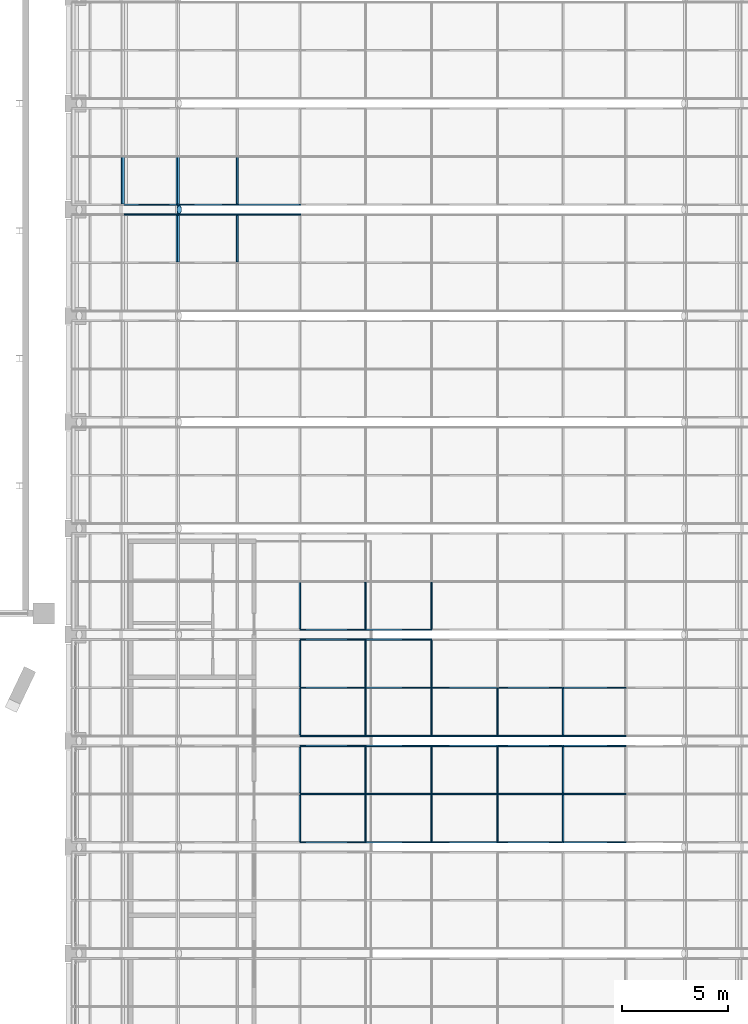
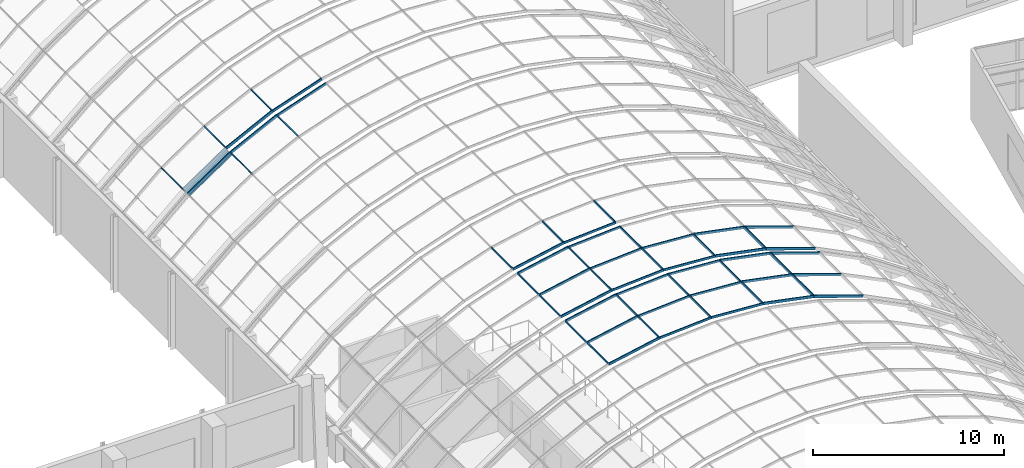
# One storey, part 52 of 182: 62 members, 5 elements without a shape of their own.
"""IFC4 building model written with IfcOpenShell, lengths in metres."""

from ifc_helpers import new_model, si_unit, direction, frame, origin, origin_2d, place, context, subcontext, project, spatial, rectangle, hollow_circle, extrude, material, material_profile, profile_set, type_object, element, aggregate, save


model = new_model("IFC4")

# Units and contexts
model_context = context("Model", 3, precision=1e-05, world=origin(), true_north=direction((0.0, 1.0)))
body_context = subcontext(model_context, "Body", "Model", "MODEL_VIEW")
ifc_project = project(units=[si_unit("LENGTHUNIT", "METRE"), si_unit("AREAUNIT", "SQUARE_METRE"), si_unit("VOLUMEUNIT", "CUBIC_METRE"), si_unit("PLANEANGLEUNIT", "RADIAN"), si_unit("MASSUNIT", "GRAM", prefix="KILO")], contexts=[model_context])

# Site, building, storey
site_placement = place(None, origin())
site = spatial("IfcSite", under=ifc_project, at=site_placement, CompositionType="ELEMENT")
building_placement = place(site_placement, origin())
building = spatial("IfcBuilding", under=site, at=building_placement, Name="Okhra Congress Centre", CompositionType="ELEMENT")
storey_placement = place(building_placement, frame((0.0, 0.0, 7.199951171875)))
storey = spatial("IfcBuildingStorey", under=building, at=storey_placement, Name="L01", CompositionType="ELEMENT", Elevation=7.199951171875)

# Curtain wall, members
ifc_material_1 = material(Name="Aluminium frame with triple glazing", Category="aluminium")
curtain_wall_type = type_object("IfcCurtainWallType", Name="Glazed vault bay curtain wall", PredefinedType="NOTDEFINED", material=ifc_material_1)
curtain_wall_1_placement = place(storey_placement, origin())
curtain_wall_1 = element("IfcCurtainWall", 1, at=curtain_wall_1_placement, inside=storey, type_object=curtain_wall_type, Name="Vault glazing bay 10", PredefinedType="NOTDEFINED")
ifc_material_2 = material(Name="Aluminium alloy 6063", Category="aluminium")
ifc_material_profile_1 = material_profile(ifc_material_2, rectangle(XDim=0.06005859375, YDim=0.139892578125, at=origin_2d()), Name="AL 60x140")
ifc_profile_set_1 = profile_set([ifc_material_profile_1], Name="Aluminium alloy 6063")
member_type_1 = type_object("IfcMemberType", Name="Aluminium mullion 60x140", PredefinedType="MULLION", material=ifc_profile_set_1)
member_1_placement = place(storey_placement, frame((169.1337890625, 121.233154296875, 8.7392578125), z_axis=(0.997826129775, 0.0, 0.065901553385), x_axis=(0.0, 1.0, 0.0)))
member_1 = element("IfcMember", 2, at=member_1_placement, type_object=member_type_1, Name="Vault mullion 10.1.6", PredefinedType="MULLION", context=body_context, shape_type="SweptSolid", body=[
    extrude(rectangle(XDim=0.06005859375, YDim=0.139892578125, at=origin_2d()), origin(), (0.0, 0.0, 1.0), 3.123046875),
])
member_2_placement = place(storey_placement, frame((172.25, 121.233154296875, 8.945068359375), z_axis=(0.997826129775, 0.0, -0.065901553385), x_axis=(0.0, 1.0, 0.0)))
member_2 = element("IfcMember", 3, at=member_2_placement, type_object=member_type_1, Name="Vault mullion 10.1.7", PredefinedType="MULLION", context=body_context, shape_type="SweptSolid", body=[
    extrude(rectangle(XDim=0.06005859375, YDim=0.139892578125, at=origin_2d()), origin(), (0.0, 0.0, 1.0), 3.123046875),
])
member_3_placement = place(storey_placement, frame((169.1337890625, 123.5, 8.7392578125), z_axis=(0.997826129775, 0.0, 0.065901553385), x_axis=(0.0, 1.0, 0.0)))
member_3 = element("IfcMember", 4, at=member_3_placement, type_object=member_type_1, Name="Vault mullion 10.2.6", PredefinedType="MULLION", context=body_context, shape_type="SweptSolid", body=[
    extrude(rectangle(XDim=0.06005859375, YDim=0.139892578125, at=origin_2d()), origin(), (0.0, 0.0, 1.0), 3.123046875),
])
member_4_placement = place(storey_placement, frame((172.25, 123.5, 8.945068359375), z_axis=(0.997826129775, 0.0, -0.065901553385), x_axis=(0.0, 1.0, 0.0)))
member_4 = element("IfcMember", 5, at=member_4_placement, type_object=member_type_1, Name="Vault mullion 10.2.7", PredefinedType="MULLION", context=body_context, shape_type="SweptSolid", body=[
    extrude(rectangle(XDim=0.06005859375, YDim=0.139892578125, at=origin_2d()), origin(), (0.0, 0.0, 1.0), 3.123046875),
])
member_5_placement = place(storey_placement, frame((169.1337890625, 125.766845703125, 8.7392578125), z_axis=(0.997826129775, 0.0, 0.065901553385), x_axis=(0.0, 1.0, 0.0)))
member_5 = element("IfcMember", 6, at=member_5_placement, type_object=member_type_1, Name="Vault mullion 10.3.6", PredefinedType="MULLION", context=body_context, shape_type="SweptSolid", body=[
    extrude(rectangle(XDim=0.06005859375, YDim=0.139892578125, at=origin_2d()), origin(), (0.0, 0.0, 1.0), 3.123046875),
])
member_6_placement = place(storey_placement, frame((172.25, 125.766845703125, 8.945068359375), z_axis=(0.997826129775, 0.0, -0.065901553385), x_axis=(0.0, 1.0, 0.0)))
member_6 = element("IfcMember", 7, at=member_6_placement, type_object=member_type_1, Name="Vault mullion 10.3.7", PredefinedType="MULLION", context=body_context, shape_type="SweptSolid", body=[
    extrude(rectangle(XDim=0.06005859375, YDim=0.139892578125, at=origin_2d()), origin(), (0.0, 0.0, 1.0), 3.123046875),
])

curtain_wall_2_placement = place(storey_placement, origin())
curtain_wall_2 = element("IfcCurtainWall", 8, at=curtain_wall_2_placement, inside=storey, type_object=curtain_wall_type, Name="Vault glazing bay 11", PredefinedType="NOTDEFINED")
member_7_placement = place(storey_placement, frame((169.1337890625, 126.233154296875, 8.7392578125), z_axis=(0.997826129775, 0.0, 0.065901553385), x_axis=(0.0, 1.0, 0.0)))
member_7 = element("IfcMember", 9, at=member_7_placement, type_object=member_type_1, Name="Vault mullion 11.1.6", PredefinedType="MULLION", context=body_context, shape_type="SweptSolid", body=[
    extrude(rectangle(XDim=0.06005859375, YDim=0.139892578125, at=origin_2d()), origin(), (0.0, 0.0, 1.0), 3.123046875),
])
member_8_placement = place(storey_placement, frame((172.25, 126.233154296875, 8.945068359375), z_axis=(0.997826129775, 0.0, -0.065901553385), x_axis=(0.0, 1.0, 0.0)))
member_8 = element("IfcMember", 10, at=member_8_placement, type_object=member_type_1, Name="Vault mullion 11.1.7", PredefinedType="MULLION", context=body_context, shape_type="SweptSolid", body=[
    extrude(rectangle(XDim=0.06005859375, YDim=0.139892578125, at=origin_2d()), origin(), (0.0, 0.0, 1.0), 3.123046875),
])
member_9_placement = place(storey_placement, frame((169.1337890625, 128.5, 8.7392578125), z_axis=(0.997826129775, 0.0, 0.065901553385), x_axis=(0.0, 1.0, 0.0)))
member_9 = element("IfcMember", 11, at=member_9_placement, type_object=member_type_1, Name="Vault mullion 11.2.6", PredefinedType="MULLION", context=body_context, shape_type="SweptSolid", body=[
    extrude(rectangle(XDim=0.06005859375, YDim=0.139892578125, at=origin_2d()), origin(), (0.0, 0.0, 1.0), 3.123046875),
])
member_10_placement = place(storey_placement, frame((172.25, 128.5, 8.945068359375), z_axis=(0.997826129775, 0.0, -0.065901553385), x_axis=(0.0, 1.0, 0.0)))
member_10 = element("IfcMember", 12, at=member_10_placement, type_object=member_type_1, Name="Vault mullion 11.2.7", PredefinedType="MULLION", context=body_context, shape_type="SweptSolid", body=[
    extrude(rectangle(XDim=0.06005859375, YDim=0.139892578125, at=origin_2d()), origin(), (0.0, 0.0, 1.0), 3.123046875),
])
member_11_placement = place(storey_placement, frame((169.1337890625, 130.766845703125, 8.7392578125), z_axis=(0.997826129775, 0.0, 0.065901553385), x_axis=(0.0, 1.0, 0.0)))
member_11 = element("IfcMember", 13, at=member_11_placement, type_object=member_type_1, Name="Vault mullion 11.3.6", PredefinedType="MULLION", context=body_context, shape_type="SweptSolid", body=[
    extrude(rectangle(XDim=0.06005859375, YDim=0.139892578125, at=origin_2d()), origin(), (0.0, 0.0, 1.0), 3.123046875),
])

# Curtain wall, member
curtain_wall_3_placement = place(storey_placement, origin())
curtain_wall_3 = element("IfcCurtainWall", 14, at=curtain_wall_3_placement, inside=storey, type_object=curtain_wall_type, Name="Vault glazing bay 12", PredefinedType="NOTDEFINED")
member_12_placement = place(storey_placement, frame((169.1337890625, 131.233154296875, 8.7392578125), z_axis=(0.997826129775, 0.0, 0.065901553385), x_axis=(0.0, 1.0, 0.0)))
member_12 = element("IfcMember", 15, at=member_12_placement, type_object=member_type_1, Name="Vault mullion 12.1.6", PredefinedType="MULLION", context=body_context, shape_type="SweptSolid", body=[
    extrude(rectangle(XDim=0.06005859375, YDim=0.139892578125, at=origin_2d()), origin(), (0.0, 0.0, 1.0), 3.123046875),
])

# Member
ifc_material_profile_2 = material_profile(ifc_material_2, rectangle(XDim=0.06005859375, YDim=0.159912109375, at=origin_2d()), Name="AL 60x160")
ifc_profile_set_2 = profile_set([ifc_material_profile_2], Name="Aluminium alloy 6063")
member_type_2 = type_object("IfcMemberType", Name="Aluminium mullion 60x160", PredefinedType="MULLION", material=ifc_profile_set_2)
member_13_placement = place(storey_placement, frame((166.069091796875, 121.233154296875, 8.134765625), z_axis=(0.980484387086, 0.0, 0.196596965087), x_axis=(0.0, 1.0, 0.0)))
member_13 = element("IfcMember", 16, at=member_13_placement, type_object=member_type_2, Name="Vault mullion 10.1.5", PredefinedType="MULLION", context=body_context, shape_type="SweptSolid", body=[
    extrude(rectangle(XDim=0.06005859375, YDim=0.159912109375, at=origin_2d()), origin(), (0.0, 0.0, 1.0), 3.12451171875),
])

member_14_placement = place(storey_placement, frame((175.367431640625, 121.233154296875, 8.7490234375), z_axis=(0.980484387086, 0.0, -0.196596965087), x_axis=(0.0, 1.0, 0.0)))
member_14 = element("IfcMember", 17, at=member_14_placement, type_object=member_type_2, Name="Vault mullion 10.1.8", PredefinedType="MULLION", context=body_context, shape_type="SweptSolid", body=[
    extrude(rectangle(XDim=0.06005859375, YDim=0.159912109375, at=origin_2d()), origin(), (0.0, 0.0, 1.0), 3.12451171875),
])

member_15_placement = place(storey_placement, frame((178.430908203125, 121.233154296875, 8.134765625), z_axis=(0.946065064306, 0.0, -0.323976687587), x_axis=(0.0, 1.0, 0.0)))
member_15 = element("IfcMember", 18, at=member_15_placement, type_object=member_type_2, Name="Vault mullion 10.1.9", PredefinedType="MULLION", context=body_context, shape_type="SweptSolid", body=[
    extrude(rectangle(XDim=0.06005859375, YDim=0.159912109375, at=origin_2d()), origin(), (0.0, 0.0, 1.0), 3.124267578125),
])

member_16_placement = place(storey_placement, frame((166.069091796875, 123.5, 8.134765625), z_axis=(0.980484387086, 0.0, 0.196596965087), x_axis=(0.0, 1.0, 0.0)))
member_16 = element("IfcMember", 19, at=member_16_placement, type_object=member_type_2, Name="Vault mullion 10.2.5", PredefinedType="MULLION", context=body_context, shape_type="SweptSolid", body=[
    extrude(rectangle(XDim=0.06005859375, YDim=0.159912109375, at=origin_2d()), origin(), (0.0, 0.0, 1.0), 3.12451171875),
])

member_17_placement = place(storey_placement, frame((175.367431640625, 123.5, 8.7490234375), z_axis=(0.980484387086, 0.0, -0.196596965087), x_axis=(0.0, 1.0, 0.0)))
member_17 = element("IfcMember", 20, at=member_17_placement, type_object=member_type_2, Name="Vault mullion 10.2.8", PredefinedType="MULLION", context=body_context, shape_type="SweptSolid", body=[
    extrude(rectangle(XDim=0.06005859375, YDim=0.159912109375, at=origin_2d()), origin(), (0.0, 0.0, 1.0), 3.12451171875),
])

member_18_placement = place(storey_placement, frame((178.430908203125, 123.5, 8.134765625), z_axis=(0.946065064306, 0.0, -0.323976687587), x_axis=(0.0, 1.0, 0.0)))
member_18 = element("IfcMember", 21, at=member_18_placement, type_object=member_type_2, Name="Vault mullion 10.2.9", PredefinedType="MULLION", context=body_context, shape_type="SweptSolid", body=[
    extrude(rectangle(XDim=0.06005859375, YDim=0.159912109375, at=origin_2d()), origin(), (0.0, 0.0, 1.0), 3.124267578125),
])

member_19_placement = place(storey_placement, frame((166.069091796875, 125.766845703125, 8.134765625), z_axis=(0.980484387086, 0.0, 0.196596965087), x_axis=(0.0, 1.0, 0.0)))
member_19 = element("IfcMember", 22, at=member_19_placement, type_object=member_type_2, Name="Vault mullion 10.3.5", PredefinedType="MULLION", context=body_context, shape_type="SweptSolid", body=[
    extrude(rectangle(XDim=0.06005859375, YDim=0.159912109375, at=origin_2d()), origin(), (0.0, 0.0, 1.0), 3.12451171875),
])

member_20_placement = place(storey_placement, frame((175.367431640625, 125.766845703125, 8.7490234375), z_axis=(0.980484387086, 0.0, -0.196596965087), x_axis=(0.0, 1.0, 0.0)))
member_20 = element("IfcMember", 23, at=member_20_placement, type_object=member_type_2, Name="Vault mullion 10.3.8", PredefinedType="MULLION", context=body_context, shape_type="SweptSolid", body=[
    extrude(rectangle(XDim=0.06005859375, YDim=0.159912109375, at=origin_2d()), origin(), (0.0, 0.0, 1.0), 3.12451171875),
])

member_21_placement = place(storey_placement, frame((178.430908203125, 125.766845703125, 8.134765625), z_axis=(0.946065064306, 0.0, -0.323976687587), x_axis=(0.0, 1.0, 0.0)))
member_21 = element("IfcMember", 24, at=member_21_placement, type_object=member_type_2, Name="Vault mullion 10.3.9", PredefinedType="MULLION", context=body_context, shape_type="SweptSolid", body=[
    extrude(rectangle(XDim=0.06005859375, YDim=0.159912109375, at=origin_2d()), origin(), (0.0, 0.0, 1.0), 3.124267578125),
])

member_22_placement = place(storey_placement, frame((166.069091796875, 126.233154296875, 8.134765625), z_axis=(0.980484387086, 0.0, 0.196596965087), x_axis=(0.0, 1.0, 0.0)))
member_22 = element("IfcMember", 25, at=member_22_placement, type_object=member_type_2, Name="Vault mullion 11.1.5", PredefinedType="MULLION", context=body_context, shape_type="SweptSolid", body=[
    extrude(rectangle(XDim=0.06005859375, YDim=0.159912109375, at=origin_2d()), origin(), (0.0, 0.0, 1.0), 3.12451171875),
])

member_23_placement = place(storey_placement, frame((175.367431640625, 126.233154296875, 8.7490234375), z_axis=(0.980484387086, 0.0, -0.196596965087), x_axis=(0.0, 1.0, 0.0)))
member_23 = element("IfcMember", 26, at=member_23_placement, type_object=member_type_2, Name="Vault mullion 11.1.8", PredefinedType="MULLION", context=body_context, shape_type="SweptSolid", body=[
    extrude(rectangle(XDim=0.06005859375, YDim=0.159912109375, at=origin_2d()), origin(), (0.0, 0.0, 1.0), 3.12451171875),
])

member_24_placement = place(storey_placement, frame((178.430908203125, 126.233154296875, 8.134765625), z_axis=(0.946065064306, 0.0, -0.323976687587), x_axis=(0.0, 1.0, 0.0)))
member_24 = element("IfcMember", 27, at=member_24_placement, type_object=member_type_2, Name="Vault mullion 11.1.9", PredefinedType="MULLION", context=body_context, shape_type="SweptSolid", body=[
    extrude(rectangle(XDim=0.06005859375, YDim=0.159912109375, at=origin_2d()), origin(), (0.0, 0.0, 1.0), 3.124267578125),
])

member_25_placement = place(storey_placement, frame((166.069091796875, 128.5, 8.134765625), z_axis=(0.980484387086, 0.0, 0.196596965087), x_axis=(0.0, 1.0, 0.0)))
member_25 = element("IfcMember", 28, at=member_25_placement, type_object=member_type_2, Name="Vault mullion 11.2.5", PredefinedType="MULLION", context=body_context, shape_type="SweptSolid", body=[
    extrude(rectangle(XDim=0.06005859375, YDim=0.159912109375, at=origin_2d()), origin(), (0.0, 0.0, 1.0), 3.12451171875),
])

member_26_placement = place(storey_placement, frame((175.367431640625, 128.5, 8.7490234375), z_axis=(0.980484387086, 0.0, -0.196596965087), x_axis=(0.0, 1.0, 0.0)))
member_26 = element("IfcMember", 29, at=member_26_placement, type_object=member_type_2, Name="Vault mullion 11.2.8", PredefinedType="MULLION", context=body_context, shape_type="SweptSolid", body=[
    extrude(rectangle(XDim=0.06005859375, YDim=0.159912109375, at=origin_2d()), origin(), (0.0, 0.0, 1.0), 3.12451171875),
])

member_27_placement = place(storey_placement, frame((178.430908203125, 128.5, 8.134765625), z_axis=(0.946065064306, 0.0, -0.323976687587), x_axis=(0.0, 1.0, 0.0)))
member_27 = element("IfcMember", 30, at=member_27_placement, type_object=member_type_2, Name="Vault mullion 11.2.9", PredefinedType="MULLION", context=body_context, shape_type="SweptSolid", body=[
    extrude(rectangle(XDim=0.06005859375, YDim=0.159912109375, at=origin_2d()), origin(), (0.0, 0.0, 1.0), 3.124267578125),
])

member_28_placement = place(storey_placement, frame((166.069091796875, 130.766845703125, 8.134765625), z_axis=(0.980484387086, 0.0, 0.196596965087), x_axis=(0.0, 1.0, 0.0)))
member_28 = element("IfcMember", 31, at=member_28_placement, type_object=member_type_2, Name="Vault mullion 11.3.5", PredefinedType="MULLION", context=body_context, shape_type="SweptSolid", body=[
    extrude(rectangle(XDim=0.06005859375, YDim=0.159912109375, at=origin_2d()), origin(), (0.0, 0.0, 1.0), 3.12451171875),
])

member_29_placement = place(storey_placement, frame((166.069091796875, 131.233154296875, 8.134765625), z_axis=(0.980484387086, 0.0, 0.196596965087), x_axis=(0.0, 1.0, 0.0)))
member_29 = element("IfcMember", 32, at=member_29_placement, type_object=member_type_2, Name="Vault mullion 12.1.5", PredefinedType="MULLION", context=body_context, shape_type="SweptSolid", body=[
    extrude(rectangle(XDim=0.06005859375, YDim=0.159912109375, at=origin_2d()), origin(), (0.0, 0.0, 1.0), 3.12451171875),
])

# Curtain wall, member
curtain_wall_4_placement = place(storey_placement, origin())
curtain_wall_4 = element("IfcCurtainWall", 33, at=curtain_wall_4_placement, inside=storey, type_object=curtain_wall_type, Name="Vault glazing bay 15", PredefinedType="NOTDEFINED")
member_30_placement = place(storey_placement, frame((163.11328125, 150.766845703125, 7.12255859375), z_axis=(0.946065064306, 0.0, 0.323976687587), x_axis=(0.0, 1.0, 0.0)))
member_30 = element("IfcMember", 34, at=member_30_placement, type_object=member_type_2, Name="Vault mullion 15.3.4", PredefinedType="MULLION", context=body_context, shape_type="SweptSolid", body=[
    extrude(rectangle(XDim=0.06005859375, YDim=0.159912109375, at=origin_2d()), origin(), (0.0, 0.0, 1.0), 3.124267578125),
])

curtain_wall_5_placement = place(storey_placement, origin())
curtain_wall_5 = element("IfcCurtainWall", 35, at=curtain_wall_5_placement, inside=storey, type_object=curtain_wall_type, Name="Vault glazing bay 16", PredefinedType="NOTDEFINED")
member_31_placement = place(storey_placement, frame((163.11328125, 151.233154296875, 7.12255859375), z_axis=(0.946065064306, 0.0, 0.323976687587), x_axis=(0.0, 1.0, 0.0)))
member_31 = element("IfcMember", 36, at=member_31_placement, type_object=member_type_2, Name="Vault mullion 16.1.4", PredefinedType="MULLION", context=body_context, shape_type="SweptSolid", body=[
    extrude(rectangle(XDim=0.06005859375, YDim=0.159912109375, at=origin_2d()), origin(), (0.0, 0.0, 1.0), 3.124267578125),
])

# Member
ifc_material_profile_3 = material_profile(ifc_material_2, rectangle(XDim=0.06005859375, YDim=0.179931640625, at=origin_2d()), Name="AL 60x180")
ifc_profile_set_3 = profile_set([ifc_material_profile_3], Name="Aluminium alloy 6063")
member_type_3 = type_object("IfcMemberType", Name="Aluminium mullion 60x180", PredefinedType="MULLION", material=ifc_profile_set_3)
member_32_placement = place(storey_placement, frame((157.720703125, 150.766845703125, 3.990478515625), z_axis=(0.828827846338, 0.0, 0.559503709671), x_axis=(0.0, 1.0, 0.0)))
member_32 = element("IfcMember", 37, at=member_32_placement, type_object=member_type_3, Name="Vault mullion 15.3.2", PredefinedType="MULLION", context=body_context, shape_type="SweptSolid", body=[
    extrude(rectangle(XDim=0.06005859375, YDim=0.179931640625, at=origin_2d()), origin(), (0.0, 0.0, 1.0), 3.12548828125),
])

member_33_placement = place(storey_placement, frame((160.311279296875, 150.766845703125, 5.7392578125), z_axis=(0.895253656313, 0.0, 0.445556832354), x_axis=(0.0, 1.0, 0.0)))
member_33 = element("IfcMember", 38, at=member_33_placement, type_object=member_type_3, Name="Vault mullion 15.3.3", PredefinedType="MULLION", context=body_context, shape_type="SweptSolid", body=[
    extrude(rectangle(XDim=0.06005859375, YDim=0.179931640625, at=origin_2d()), origin(), (0.0, 0.0, 1.0), 3.12548828125),
])

member_34_placement = place(storey_placement, frame((157.720703125, 151.233154296875, 3.990478515625), z_axis=(0.828827846338, 0.0, 0.559503709671), x_axis=(0.0, 1.0, 0.0)))
member_34 = element("IfcMember", 39, at=member_34_placement, type_object=member_type_3, Name="Vault mullion 16.1.2", PredefinedType="MULLION", context=body_context, shape_type="SweptSolid", body=[
    extrude(rectangle(XDim=0.06005859375, YDim=0.179931640625, at=origin_2d()), origin(), (0.0, 0.0, 1.0), 3.12548828125),
])

member_35_placement = place(storey_placement, frame((160.311279296875, 151.233154296875, 5.7392578125), z_axis=(0.895253656313, 0.0, 0.445556832354), x_axis=(0.0, 1.0, 0.0)))
member_35 = element("IfcMember", 40, at=member_35_placement, type_object=member_type_3, Name="Vault mullion 16.1.3", PredefinedType="MULLION", context=body_context, shape_type="SweptSolid", body=[
    extrude(rectangle(XDim=0.06005859375, YDim=0.179931640625, at=origin_2d()), origin(), (0.0, 0.0, 1.0), 3.12548828125),
])

ifc_material_profile_4 = material_profile(ifc_material_2, rectangle(XDim=0.06005859375, YDim=0.139892578125, at=origin_2d()), Name="AL 60x140 transom")
ifc_profile_set_4 = profile_set([ifc_material_profile_4], Name="Aluminium alloy 6063")
member_type_4 = type_object("IfcMemberType", Name="Aluminium transom 60x140", PredefinedType="USERDEFINED", material=ifc_profile_set_4)
member_36_placement = place(storey_placement, frame((169.1337890625, 121.26318359375, 8.7392578125), z_axis=(0.0, 1.0, 0.0), x_axis=(-0.991307202734, 0.0, -0.131567586459)))
member_36 = element("IfcMember", 41, at=member_36_placement, type_object=member_type_4, Name="Vault transom 10.1.6", ObjectType="TRANSOM", PredefinedType="USERDEFINED", context=body_context, shape_type="SweptSolid", body=[
    extrude(rectangle(XDim=0.06005859375, YDim=0.139892578125, at=origin_2d()), origin(), (0.0, 0.0, 1.0), 2.206787109375),
])

member_37_placement = place(storey_placement, frame((172.25, 121.26318359375, 8.945068359375), z_axis=(0.0, 1.0, 0.0), x_axis=(-1.0, 0.0, 0.0)))
member_37 = element("IfcMember", 42, at=member_37_placement, type_object=member_type_4, Name="Vault transom 10.1.7", ObjectType="TRANSOM", PredefinedType="USERDEFINED", context=body_context, shape_type="SweptSolid", body=[
    extrude(rectangle(XDim=0.06005859375, YDim=0.139892578125, at=origin_2d()), origin(), (0.0, 0.0, 1.0), 2.206787109375),
])

member_38_placement = place(storey_placement, frame((175.3662109375, 121.26318359375, 8.7392578125), z_axis=(0.0, 1.0, 0.0), x_axis=(-0.991307202734, 0.0, 0.131567586459)))
member_38 = element("IfcMember", 43, at=member_38_placement, type_object=member_type_4, Name="Vault transom 10.1.8", ObjectType="TRANSOM", PredefinedType="USERDEFINED", context=body_context, shape_type="SweptSolid", body=[
    extrude(rectangle(XDim=0.06005859375, YDim=0.139892578125, at=origin_2d()), origin(), (0.0, 0.0, 1.0), 2.206787109375),
])

member_39_placement = place(storey_placement, frame((169.1337890625, 123.530029296875, 8.7392578125), z_axis=(0.0, 1.0, 0.0), x_axis=(-0.991307202734, 0.0, -0.131567586459)))
member_39 = element("IfcMember", 44, at=member_39_placement, type_object=member_type_4, Name="Vault transom 10.2.6", ObjectType="TRANSOM", PredefinedType="USERDEFINED", context=body_context, shape_type="SweptSolid", body=[
    extrude(rectangle(XDim=0.06005859375, YDim=0.139892578125, at=origin_2d()), origin(), (0.0, 0.0, 1.0), 2.206787109375),
])

member_40_placement = place(storey_placement, frame((172.25, 123.530029296875, 8.945068359375), z_axis=(0.0, 1.0, 0.0), x_axis=(-1.0, 0.0, 0.0)))
member_40 = element("IfcMember", 45, at=member_40_placement, type_object=member_type_4, Name="Vault transom 10.2.7", ObjectType="TRANSOM", PredefinedType="USERDEFINED", context=body_context, shape_type="SweptSolid", body=[
    extrude(rectangle(XDim=0.06005859375, YDim=0.139892578125, at=origin_2d()), origin(), (0.0, 0.0, 1.0), 2.206787109375),
])

member_41_placement = place(storey_placement, frame((175.3662109375, 123.530029296875, 8.7392578125), z_axis=(0.0, 1.0, 0.0), x_axis=(-0.991307202734, 0.0, 0.131567586459)))
member_41 = element("IfcMember", 46, at=member_41_placement, type_object=member_type_4, Name="Vault transom 10.2.8", ObjectType="TRANSOM", PredefinedType="USERDEFINED", context=body_context, shape_type="SweptSolid", body=[
    extrude(rectangle(XDim=0.06005859375, YDim=0.139892578125, at=origin_2d()), origin(), (0.0, 0.0, 1.0), 2.206787109375),
])

member_42_placement = place(storey_placement, frame((169.1337890625, 126.26318359375, 8.7392578125), z_axis=(0.0, 1.0, 0.0), x_axis=(-0.991307202734, 0.0, -0.131567586459)))
member_42 = element("IfcMember", 47, at=member_42_placement, type_object=member_type_4, Name="Vault transom 11.1.6", ObjectType="TRANSOM", PredefinedType="USERDEFINED", context=body_context, shape_type="SweptSolid", body=[
    extrude(rectangle(XDim=0.06005859375, YDim=0.139892578125, at=origin_2d()), origin(), (0.0, 0.0, 1.0), 2.206787109375),
])

member_43_placement = place(storey_placement, frame((172.25, 126.26318359375, 8.945068359375), z_axis=(0.0, 1.0, 0.0), x_axis=(-1.0, 0.0, 0.0)))
member_43 = element("IfcMember", 48, at=member_43_placement, type_object=member_type_4, Name="Vault transom 11.1.7", ObjectType="TRANSOM", PredefinedType="USERDEFINED", context=body_context, shape_type="SweptSolid", body=[
    extrude(rectangle(XDim=0.06005859375, YDim=0.139892578125, at=origin_2d()), origin(), (0.0, 0.0, 1.0), 2.206787109375),
])

member_44_placement = place(storey_placement, frame((175.3662109375, 126.26318359375, 8.7392578125), z_axis=(0.0, 1.0, 0.0), x_axis=(-0.991307202734, 0.0, 0.131567586459)))
member_44 = element("IfcMember", 49, at=member_44_placement, type_object=member_type_4, Name="Vault transom 11.1.8", ObjectType="TRANSOM", PredefinedType="USERDEFINED", context=body_context, shape_type="SweptSolid", body=[
    extrude(rectangle(XDim=0.06005859375, YDim=0.139892578125, at=origin_2d()), origin(), (0.0, 0.0, 1.0), 2.206787109375),
])

member_45_placement = place(storey_placement, frame((169.1337890625, 128.530029296875, 8.7392578125), z_axis=(0.0, 1.0, 0.0), x_axis=(-0.991307202734, 0.0, -0.131567586459)))
member_45 = element("IfcMember", 50, at=member_45_placement, type_object=member_type_4, Name="Vault transom 11.2.6", ObjectType="TRANSOM", PredefinedType="USERDEFINED", context=body_context, shape_type="SweptSolid", body=[
    extrude(rectangle(XDim=0.06005859375, YDim=0.139892578125, at=origin_2d()), origin(), (0.0, 0.0, 1.0), 2.206787109375),
])

member_46_placement = place(storey_placement, frame((172.25, 128.530029296875, 8.945068359375), z_axis=(0.0, 1.0, 0.0), x_axis=(-1.0, 0.0, 0.0)))
member_46 = element("IfcMember", 51, at=member_46_placement, type_object=member_type_4, Name="Vault transom 11.2.7", ObjectType="TRANSOM", PredefinedType="USERDEFINED", context=body_context, shape_type="SweptSolid", body=[
    extrude(rectangle(XDim=0.06005859375, YDim=0.139892578125, at=origin_2d()), origin(), (0.0, 0.0, 1.0), 2.206787109375),
])

member_47_placement = place(storey_placement, frame((169.1337890625, 131.26318359375, 8.7392578125), z_axis=(0.0, 1.0, 0.0), x_axis=(-0.991307202734, 0.0, -0.131567586459)))
member_47 = element("IfcMember", 52, at=member_47_placement, type_object=member_type_4, Name="Vault transom 12.1.6", ObjectType="TRANSOM", PredefinedType="USERDEFINED", context=body_context, shape_type="SweptSolid", body=[
    extrude(rectangle(XDim=0.06005859375, YDim=0.139892578125, at=origin_2d()), origin(), (0.0, 0.0, 1.0), 2.206787109375),
])

member_48_placement = place(storey_placement, frame((172.25, 131.26318359375, 8.945068359375), z_axis=(0.0, 1.0, 0.0), x_axis=(-1.0, 0.0, 0.0)))
member_48 = element("IfcMember", 53, at=member_48_placement, type_object=member_type_4, Name="Vault transom 12.1.7", ObjectType="TRANSOM", PredefinedType="USERDEFINED", context=body_context, shape_type="SweptSolid", body=[
    extrude(rectangle(XDim=0.06005859375, YDim=0.139892578125, at=origin_2d()), origin(), (0.0, 0.0, 1.0), 2.206787109375),
])

ifc_material_profile_5 = material_profile(ifc_material_2, rectangle(XDim=0.06005859375, YDim=0.159912109375, at=origin_2d()), Name="AL 60x160 transom")
ifc_profile_set_5 = profile_set([ifc_material_profile_5], Name="Aluminium alloy 6063")
member_type_5 = type_object("IfcMemberType", Name="Aluminium transom 60x160", PredefinedType="USERDEFINED", material=ifc_profile_set_5)
member_49_placement = place(storey_placement, frame((166.069091796875, 121.26318359375, 8.134765625), z_axis=(0.0, 1.0, 0.0), x_axis=(-0.965379940391, 0.0, -0.260847792191)))
member_49 = element("IfcMember", 54, at=member_49_placement, type_object=member_type_5, Name="Vault transom 10.1.5", ObjectType="TRANSOM", PredefinedType="USERDEFINED", context=body_context, shape_type="SweptSolid", body=[
    extrude(rectangle(XDim=0.06005859375, YDim=0.159912109375, at=origin_2d()), origin(), (0.0, 0.0, 1.0), 2.206787109375),
])

member_50_placement = place(storey_placement, frame((178.430908203125, 121.26318359375, 8.134765625), z_axis=(0.0, 1.0, 0.0), x_axis=(-0.965379940391, 0.0, 0.260847792191)))
member_50 = element("IfcMember", 55, at=member_50_placement, type_object=member_type_5, Name="Vault transom 10.1.9", ObjectType="TRANSOM", PredefinedType="USERDEFINED", context=body_context, shape_type="SweptSolid", body=[
    extrude(rectangle(XDim=0.06005859375, YDim=0.159912109375, at=origin_2d()), origin(), (0.0, 0.0, 1.0), 2.206787109375),
])

member_51_placement = place(storey_placement, frame((166.069091796875, 123.530029296875, 8.134765625), z_axis=(0.0, 1.0, 0.0), x_axis=(-0.965379940391, 0.0, -0.260847792191)))
member_51 = element("IfcMember", 56, at=member_51_placement, type_object=member_type_5, Name="Vault transom 10.2.5", ObjectType="TRANSOM", PredefinedType="USERDEFINED", context=body_context, shape_type="SweptSolid", body=[
    extrude(rectangle(XDim=0.06005859375, YDim=0.159912109375, at=origin_2d()), origin(), (0.0, 0.0, 1.0), 2.206787109375),
])

member_52_placement = place(storey_placement, frame((178.430908203125, 123.530029296875, 8.134765625), z_axis=(0.0, 1.0, 0.0), x_axis=(-0.965379940391, 0.0, 0.260847792191)))
member_52 = element("IfcMember", 57, at=member_52_placement, type_object=member_type_5, Name="Vault transom 10.2.9", ObjectType="TRANSOM", PredefinedType="USERDEFINED", context=body_context, shape_type="SweptSolid", body=[
    extrude(rectangle(XDim=0.06005859375, YDim=0.159912109375, at=origin_2d()), origin(), (0.0, 0.0, 1.0), 2.206787109375),
])

aggregate(curtain_wall_1, [member_13, member_1, member_2, member_14, member_15, member_16, member_3, member_4, member_17, member_18, member_19, member_5, member_6, member_20, member_21, member_49, member_36, member_37, member_38, member_50, member_51, member_39, member_40, member_41, member_52])

member_53_placement = place(storey_placement, frame((166.069091796875, 126.26318359375, 8.134765625), z_axis=(0.0, 1.0, 0.0), x_axis=(-0.965379940391, 0.0, -0.260847792191)))
member_53 = element("IfcMember", 58, at=member_53_placement, type_object=member_type_5, Name="Vault transom 11.1.5", ObjectType="TRANSOM", PredefinedType="USERDEFINED", context=body_context, shape_type="SweptSolid", body=[
    extrude(rectangle(XDim=0.06005859375, YDim=0.159912109375, at=origin_2d()), origin(), (0.0, 0.0, 1.0), 2.206787109375),
])

member_54_placement = place(storey_placement, frame((178.430908203125, 126.26318359375, 8.134765625), z_axis=(0.0, 1.0, 0.0), x_axis=(-0.965379940391, 0.0, 0.260847792191)))
member_54 = element("IfcMember", 59, at=member_54_placement, type_object=member_type_5, Name="Vault transom 11.1.9", ObjectType="TRANSOM", PredefinedType="USERDEFINED", context=body_context, shape_type="SweptSolid", body=[
    extrude(rectangle(XDim=0.06005859375, YDim=0.159912109375, at=origin_2d()), origin(), (0.0, 0.0, 1.0), 2.206787109375),
])

member_55_placement = place(storey_placement, frame((166.069091796875, 128.530029296875, 8.134765625), z_axis=(0.0, 1.0, 0.0), x_axis=(-0.965379940391, 0.0, -0.260847792191)))
member_55 = element("IfcMember", 60, at=member_55_placement, type_object=member_type_5, Name="Vault transom 11.2.5", ObjectType="TRANSOM", PredefinedType="USERDEFINED", context=body_context, shape_type="SweptSolid", body=[
    extrude(rectangle(XDim=0.06005859375, YDim=0.159912109375, at=origin_2d()), origin(), (0.0, 0.0, 1.0), 2.206787109375),
])

aggregate(curtain_wall_2, [member_22, member_7, member_8, member_23, member_24, member_25, member_9, member_10, member_26, member_27, member_28, member_11, member_53, member_42, member_43, member_44, member_54, member_55, member_45, member_46])

member_56_placement = place(storey_placement, frame((166.069091796875, 131.26318359375, 8.134765625), z_axis=(0.0, 1.0, 0.0), x_axis=(-0.965379940391, 0.0, -0.260847792191)))
member_56 = element("IfcMember", 61, at=member_56_placement, type_object=member_type_5, Name="Vault transom 12.1.5", ObjectType="TRANSOM", PredefinedType="USERDEFINED", context=body_context, shape_type="SweptSolid", body=[
    extrude(rectangle(XDim=0.06005859375, YDim=0.159912109375, at=origin_2d()), origin(), (0.0, 0.0, 1.0), 2.206787109375),
])

aggregate(curtain_wall_3, [member_29, member_12, member_56, member_47, member_48])

member_57_placement = place(storey_placement, frame((163.11328125, 148.530029296875, 7.12255859375), z_axis=(0.0, 1.0, 0.0), x_axis=(-0.922668973833, 0.0, -0.38559300399)))
member_57 = element("IfcMember", 62, at=member_57_placement, type_object=member_type_5, Name="Vault transom 15.2.4", ObjectType="TRANSOM", PredefinedType="USERDEFINED", context=body_context, shape_type="SweptSolid", body=[
    extrude(rectangle(XDim=0.06005859375, YDim=0.159912109375, at=origin_2d()), origin(), (0.0, 0.0, 1.0), 2.206787109375),
])

member_58_placement = place(storey_placement, frame((163.11328125, 151.26318359375, 7.12255859375), z_axis=(0.0, 1.0, 0.0), x_axis=(-0.922668973833, 0.0, -0.38559300399)))
member_58 = element("IfcMember", 63, at=member_58_placement, type_object=member_type_5, Name="Vault transom 16.1.4", ObjectType="TRANSOM", PredefinedType="USERDEFINED", context=body_context, shape_type="SweptSolid", body=[
    extrude(rectangle(XDim=0.06005859375, YDim=0.159912109375, at=origin_2d()), origin(), (0.0, 0.0, 1.0), 2.206787109375),
])

ifc_material_profile_6 = material_profile(ifc_material_2, rectangle(XDim=0.06005859375, YDim=0.179931640625, at=origin_2d()), Name="AL 60x180 transom")
ifc_profile_set_6 = profile_set([ifc_material_profile_6], Name="Aluminium alloy 6063")
member_type_6 = type_object("IfcMemberType", Name="Aluminium transom 60x180", PredefinedType="USERDEFINED", material=ifc_profile_set_6)
member_59_placement = place(storey_placement, frame((160.311279296875, 148.530029296875, 5.7392578125), z_axis=(0.0, 1.0, 0.0), x_axis=(-0.86391685861, 0.0, -0.503634452167)))
member_59 = element("IfcMember", 64, at=member_59_placement, type_object=member_type_6, Name="Vault transom 15.2.3", ObjectType="TRANSOM", PredefinedType="USERDEFINED", context=body_context, shape_type="SweptSolid", body=[
    extrude(rectangle(XDim=0.06005859375, YDim=0.179931640625, at=origin_2d()), origin(), (0.0, 0.0, 1.0), 2.206787109375),
])

aggregate(curtain_wall_4, [member_32, member_33, member_30, member_59, member_57])

member_60_placement = place(storey_placement, frame((157.720703125, 151.26318359375, 3.990478515625), z_axis=(0.0, 1.0, 0.0), x_axis=(-0.790145035185, 0.0, -0.612919915954)))
member_60 = element("IfcMember", 65, at=member_60_placement, type_object=member_type_6, Name="Vault transom 16.1.2", ObjectType="TRANSOM", PredefinedType="USERDEFINED", context=body_context, shape_type="SweptSolid", body=[
    extrude(rectangle(XDim=0.06005859375, YDim=0.179931640625, at=origin_2d()), origin(), (0.0, 0.0, 1.0), 2.206787109375),
])

member_61_placement = place(storey_placement, frame((160.311279296875, 151.26318359375, 5.7392578125), z_axis=(0.0, 1.0, 0.0), x_axis=(-0.86391685861, 0.0, -0.503634452167)))
member_61 = element("IfcMember", 66, at=member_61_placement, type_object=member_type_6, Name="Vault transom 16.1.3", ObjectType="TRANSOM", PredefinedType="USERDEFINED", context=body_context, shape_type="SweptSolid", body=[
    extrude(rectangle(XDim=0.06005859375, YDim=0.179931640625, at=origin_2d()), origin(), (0.0, 0.0, 1.0), 2.206787109375),
])

aggregate(curtain_wall_5, [member_34, member_35, member_31, member_60, member_61, member_58])

ifc_material_3 = material(Name="Steel S355J2", Category="steel")
ifc_material_profile_7 = material_profile(ifc_material_3, hollow_circle(Radius=0.203125, WallThickness=0.01611328125, at=origin_2d()), Name="CHS 406.4x16")
ifc_profile_set_7 = profile_set([ifc_material_profile_7], Name="Steel S355J2")
member_type_7 = type_object("IfcMemberType", Name="Tubular steel arch rib CHS 406x16", PredefinedType="USERDEFINED", material=ifc_profile_set_7)
member_62_placement = place(storey_placement, frame((157.8330078125, 151.0, 3.86767578125), z_axis=(0.82882567543, 0.0, 0.559506925558), x_axis=(0.0, 1.0, 0.0)))
element("IfcMember", 67, at=member_62_placement, inside=storey, type_object=member_type_7, Name="Arch rib 16.2", ObjectType="Arch rib", PredefinedType="USERDEFINED", context=body_context, shape_type="SweptSolid", body=[
    extrude(hollow_circle(Radius=0.203125, WallThickness=0.01611328125, at=origin_2d()), origin(), (0.0, 0.0, 1.0), 3.07666015625),
])

save(model, "model.ifc")
